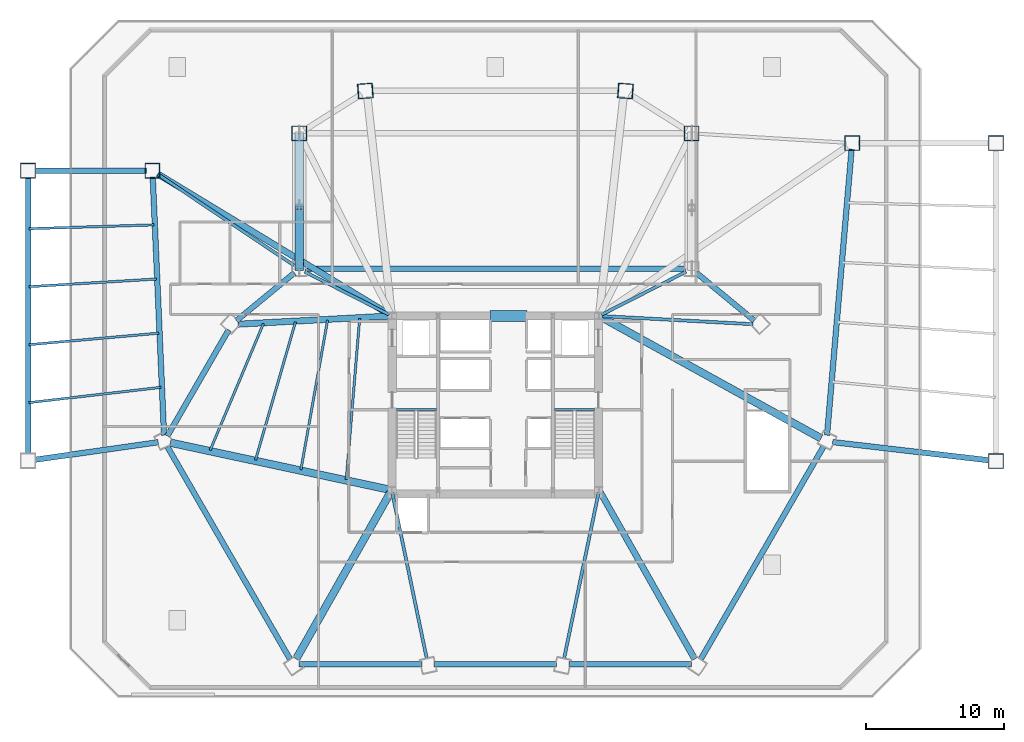
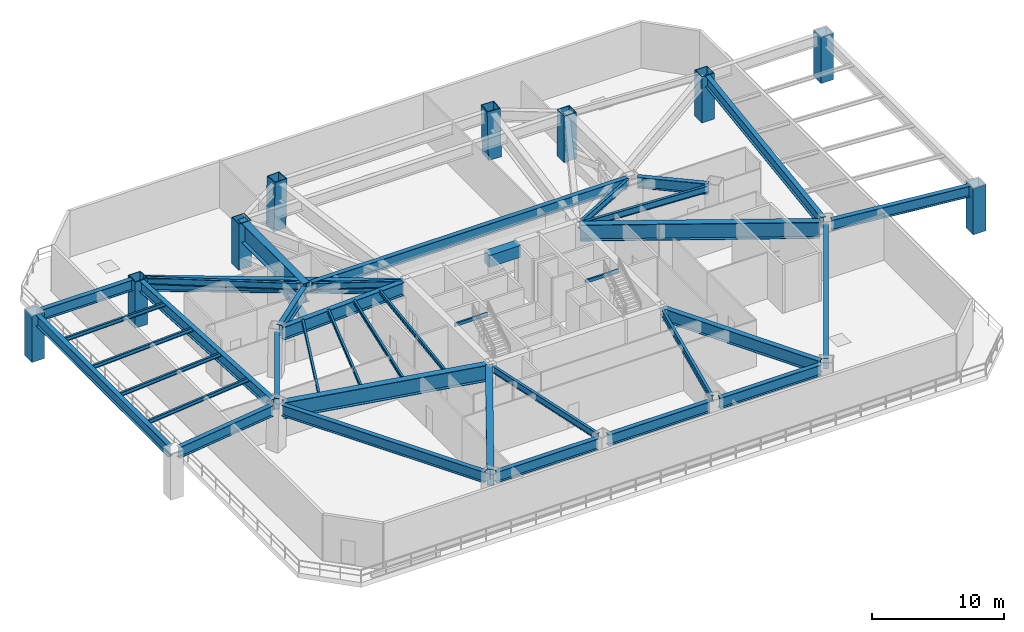
# One storey, part 3 of 13: 39 beams, 9 columns, 1 member.
"""IFC4 building model written with IfcOpenShell, lengths in metres."""

from ifc_helpers import new_model, si_unit, direction, frame, origin, origin_2d, place, context, subcontext, project, spatial, rectangle, hollow_rectangle, i_section, extrude, source, transform, mapped, material, material_profile, profile_set, type_object, type_shapes, element, save


model = new_model("IFC4")

# Units and contexts
model_context = context("Model", 3, precision=1e-05, world=origin(), true_north=direction((0.0, 1.0)))
body_context = subcontext(model_context, "Body", "Model", "MODEL_VIEW")
ifc_project = project(units=[si_unit("LENGTHUNIT", "METRE"), si_unit("AREAUNIT", "SQUARE_METRE"), si_unit("VOLUMEUNIT", "CUBIC_METRE"), si_unit("PLANEANGLEUNIT", "RADIAN"), si_unit("MASSUNIT", "GRAM", prefix="KILO")], contexts=[model_context])

# Site, building, storey
site_placement = place(None, origin())
site = spatial("IfcSite", under=ifc_project, at=site_placement, CompositionType="ELEMENT")
building_placement = place(site_placement, origin())
building = spatial("IfcBuilding", under=site, at=building_placement, Name="Caelisora Broadcast Tower", CompositionType="ELEMENT")
storey_placement = place(building_placement, frame((0.0, 0.0, 23.10009765625)))
storey = spatial("IfcBuildingStorey", under=building, at=storey_placement, Name="L05", CompositionType="ELEMENT", Elevation=23.10009765625)

# Columns
ifc_material_1 = material(Name="Steel Grade 350 L15 (AS/NZS 3678)", Category="steel")
ifc_material_profile_1 = material_profile(ifc_material_1, hollow_rectangle(XDim=1.10009765625, YDim=1.10009765625, WallThickness=0.06005859375, at=origin_2d()), Name="Steel Grade 350 L15 (AS/NZS 3678)")
ifc_profile_set_1 = profile_set([ifc_material_profile_1], Name="Steel Grade 350 L15 (AS/NZS 3678)")
column_type = type_object("IfcColumnType", Name="MC03", PredefinedType="COLUMN", material=ifc_profile_set_1)
shared_shape_1 = source(origin(), body_context, "Body", "SweptSolid", [
    extrude(hollow_rectangle(XDim=1.10009765625, YDim=1.10009765625, WallThickness=0.06005859375, at=origin_2d()), origin(), (0.0, 0.0, 1.0), 4.501220703125),
])
for number, where, z_axis, x_axis, name in (
    (1, (47.4189453125, 46.26416015625, 0.0), (-0.023864693146, 0.001735614047, 0.999713691046), (-0.072535695779, -0.997365816959, 0.0), "L05 column MC03"),
    (2, (28.5810546875, 46.26416015625, 0.0), (0.023864693146, 0.001735614047, 0.999713691046), (-0.072535695779, 0.997365816959, 0.0), "L05 column MC03"),
):
    element("IfcColumn", number, at=place(storey_placement, frame(where, z_axis=z_axis, x_axis=x_axis)), inside=storey, type_object=column_type, Name=name, PredefinedType="COLUMN", context=body_context, shape_type="MappedRepresentation", body=[
        mapped(shared_shape_1, transform((0.0, 0.0, 0.0), scale=1.0)),
    ])
shared_shape_2 = source(origin(), body_context, "Body", "SweptSolid", [
    extrude(hollow_rectangle(XDim=1.10009765625, YDim=1.10009765625, WallThickness=0.06005859375, at=origin_2d()), origin(), (0.0, 0.0, 1.0), 4.25),
])
type_shapes(column_type, [shared_shape_1, shared_shape_2])
for number, where, z_axis, x_axis, name in (
    (3, (23.81103515625, 43.199951171875, 0.0), (0.0, 0.0, 1.0), (1.0, 0.0, 0.0), "L05 column MC03"),
    (4, (52.18896484375, 43.199951171875, 0.0), (0.0, 0.0, 1.0), (1.0, 0.0, 0.0), "L05 column MC03"),
    (5, (4.199951171875, 40.5, 0.0), (0.0, 0.0, 1.0), (1.0, 0.0, 0.0), "L05 column MC03"),
    (6, (74.199951171875, 19.5, 0.0), (0.0, 0.0, 1.0), (1.0, 0.0, 0.0), "L05 column MC03"),
    (7, (74.199951171875, 42.5, 0.0), (0.0, 0.0, 1.0), (1.0, 0.0, 0.0), "L05 column MC03"),
    (8, (13.199951171875, 40.5, 0.0), (0.0, 0.0, 1.0), (1.0, 0.0, 0.0), "L05 column MC03"),
    (9, (63.800048828125, 42.5, 0.0), (0.0, 0.0, 1.0), (1.0, 0.0, 0.0), "L05 column MC03"),
):
    element("IfcColumn", number, at=place(storey_placement, frame(where, z_axis=z_axis, x_axis=x_axis)), inside=storey, type_object=column_type, Name=name, PredefinedType="COLUMN", context=body_context, shape_type="MappedRepresentation", body=[
        mapped(shared_shape_2, transform((0.0, 0.0, 0.0), scale=1.0)),
    ])

# Beams
ifc_material_2 = material(Name="Steel Grade 350 (AS/NZS 1163 C350L0)", Category="steel")
ifc_material_profile_2 = material_profile(ifc_material_2, hollow_rectangle(XDim=0.14990234375, YDim=0.300048828125, WallThickness=0.010009765625, at=origin_2d()), Name="Steel Grade 350 (AS/NZS 1163 C350L0)")
ifc_profile_set_2 = profile_set([ifc_material_profile_2], Name="Steel Grade 350 (AS/NZS 1163 C350L0)")
beam_type_1 = type_object("IfcBeamType", Name="SB05", PredefinedType="JOIST", material=ifc_profile_set_2)
shared_shape_3 = source(origin(), body_context, "Body", "SweptSolid", [
    extrude(hollow_rectangle(XDim=0.14990234375, YDim=0.300048828125, WallThickness=0.010009765625, at=origin_2d()), origin(), (0.0, 0.0, 1.0), 2.89990234375),
])
type_shapes(beam_type_1, [shared_shape_3])
for number, where, z_axis, x_axis, name in (
    (10, (30.840087890625, 23.219970703125, 4.099853515625), (1.0, 0.0, 0.0), (0.0, 1.0, 0.0), "L05 beam SB05"),
    (11, (42.260009765625, 23.219970703125, 4.099853515625), (1.0, 0.0, 0.0), (0.0, 1.0, 0.0), "L05 beam SB05"),
):
    element("IfcBeam", number, at=place(storey_placement, frame(where, z_axis=z_axis, x_axis=x_axis)), inside=storey, type_object=beam_type_1, Name=name, PredefinedType="JOIST", context=body_context, shape_type="MappedRepresentation", body=[
        mapped(shared_shape_3, transform((0.0, 0.0, 0.0), scale=1.0)),
    ])
ifc_material_3 = material(Name="Concrete 65 MPa (AS 3600 S65)", Category="concrete")
ifc_material_profile_3 = material_profile(ifc_material_3, rectangle(XDim=0.800048828125, YDim=1.10009765625, at=origin_2d()), Name="Concrete 65 MPa (AS 3600 S65)")
ifc_profile_set_3 = profile_set([ifc_material_profile_3], Name="Concrete 65 MPa (AS 3600 S65)")
beam_type_2 = type_object("IfcBeamType", Name="CB01", PredefinedType="LINTEL", material=ifc_profile_set_3)
shared_shape_4 = source(origin(), body_context, "Body", "SweptSolid", [
    extrude(rectangle(XDim=0.800048828125, YDim=1.10009765625, at=origin_2d()), origin(), (0.0, 0.0, 1.0), 2.699951171875),
])
type_shapes(beam_type_2, [shared_shape_4])
beam_1_placement = place(storey_placement, frame((37.60009765625, 30.0, 3.699951171875), z_axis=(1.0, 0.0, 0.0), x_axis=(0.0, 1.0, 0.0)))
element("IfcBeam", 12, at=beam_1_placement, inside=storey, type_object=beam_type_2, Name="L05 beam CB01", PredefinedType="LINTEL", context=body_context, shape_type="MappedRepresentation", body=[
    mapped(shared_shape_4, transform((0.0, 0.0, 0.0), scale=1.0)),
])
ifc_material_4 = material(Name="Steel Grade 350 (AS/NZS 3679.2)", Category="steel")
ifc_material_profile_4 = material_profile(ifc_material_4, i_section(OverallWidth=0.39990234375, OverallDepth=1.0, WebThickness=0.01611328125, FlangeThickness=0.028076171875, at=origin_2d()), Name="Steel Grade 350 (AS/NZS 3679.2)")
ifc_profile_set_4 = profile_set([ifc_material_profile_4], Name="Steel Grade 350 (AS/NZS 3679.2)")
beam_type_3 = type_object("IfcBeamType", Name="PG01", PredefinedType="BEAM", material=ifc_profile_set_4)
shared_shape_5 = source(origin(), body_context, "Body", "SweptSolid", [
    extrude(i_section(OverallWidth=0.39990234375, OverallDepth=1.0, WebThickness=0.01611328125, FlangeThickness=0.028076171875, at=origin_2d()), origin(), (0.0, 0.0, 1.0), 17.73291015625),
])
for number, where, z_axis, x_axis, name in (
    (13, (14.278564453125, 20.54248046875, 3.75), (0.49999933933, -0.866025785222, 0.0), (0.866025785222, 0.49999933933, 0.0), "L05 beam PG01"),
    (14, (52.85498046875, 5.185302734375, 3.75), (0.49999933933, 0.866025785222, 0.0), (-0.866025785222, 0.49999933933, 0.0), "L05 beam PG01"),
):
    element("IfcBeam", number, at=place(storey_placement, frame(where, z_axis=z_axis, x_axis=x_axis)), inside=storey, type_object=beam_type_3, Name=name, PredefinedType="BEAM", context=body_context, shape_type="MappedRepresentation", body=[
        mapped(shared_shape_5, transform((0.0, 0.0, 0.0), scale=1.0)),
    ])
shared_shape_6 = source(origin(), body_context, "Body", "SweptSolid", [
    extrude(i_section(OverallWidth=0.39990234375, OverallDepth=1.0, WebThickness=0.01611328125, FlangeThickness=0.028076171875, at=origin_2d()), origin(), (0.0, 0.0, 1.0), 5.43310546875),
])
for number, where, z_axis, x_axis, name in (
    (15, (23.4677734375, 33.11669921875, 3.75), (-0.771372175609, -0.63638429168, 0.0), (0.63638429168, -0.771372175609, 0.0), "L05 beam PG01"),
    (16, (56.72314453125, 29.6591796875, 3.75), (-0.771372175609, 0.63638429168, 0.0), (-0.63638429168, -0.771372175609, 0.0), "L05 beam PG01"),
):
    element("IfcBeam", number, at=place(storey_placement, frame(where, z_axis=z_axis, x_axis=x_axis)), inside=storey, type_object=beam_type_3, Name=name, PredefinedType="BEAM", context=body_context, shape_type="MappedRepresentation", body=[
        mapped(shared_shape_6, transform((0.0, 0.0, 0.0), scale=1.0)),
    ])
shared_shape_7 = source(origin(), body_context, "Body", "SweptSolid", [
    extrude(i_section(OverallWidth=0.39990234375, OverallDepth=1.0, WebThickness=0.01611328125, FlangeThickness=0.028076171875, at=origin_2d()), origin(), (0.0, 0.0, 1.0), 8.86474609375),
])
beam_2_placement = place(storey_placement, frame((18.711181640625, 28.990478515625, 3.75), z_axis=(-0.500025215562, -0.866010845084, 0.0), x_axis=(0.866010845084, -0.500025215562, 0.0)))
element("IfcBeam", 17, at=beam_2_placement, inside=storey, type_object=beam_type_3, Name="L05 beam PG01", PredefinedType="BEAM", context=body_context, shape_type="MappedRepresentation", body=[
    mapped(shared_shape_7, transform((0.0, 0.0, 0.0), scale=1.0)),
])
shared_shape_8 = source(origin(), body_context, "Body", "SweptSolid", [
    extrude(i_section(OverallWidth=0.39990234375, OverallDepth=1.0, WebThickness=0.01611328125, FlangeThickness=0.028076171875, at=origin_2d()), origin(), (0.0, 0.0, 1.0), 8.864990234375),
])
for number, where, z_axis, x_axis, name in (
    (18, (23.8125, 4.800048828125, 3.75), (1.0, 0.0, 0.0), (0.0, 1.0, 0.0), "L05 beam PG01"),
    (19, (43.322509765625, 4.800048828125, 3.75), (1.0, 0.0, 0.0), (0.0, 1.0, 0.0), "L05 beam PG01"),
):
    element("IfcBeam", number, at=place(storey_placement, frame(where, z_axis=z_axis, x_axis=x_axis)), inside=storey, type_object=beam_type_3, Name=name, PredefinedType="BEAM", context=body_context, shape_type="MappedRepresentation", body=[
        mapped(shared_shape_8, transform((0.0, 0.0, 0.0), scale=1.0)),
    ])
shared_shape_9 = source(origin(), body_context, "Body", "SweptSolid", [
    extrude(i_section(OverallWidth=0.39990234375, OverallDepth=1.0, WebThickness=0.01611328125, FlangeThickness=0.028076171875, at=origin_2d()), origin(), (0.0, 0.0, 1.0), 8.865234375),
])
beam_3_placement = place(storey_placement, frame((33.5673828125, 4.800048828125, 3.75), z_axis=(1.0, 0.0, 0.0), x_axis=(0.0, 1.0, 0.0)))
element("IfcBeam", 20, at=beam_3_placement, inside=storey, type_object=beam_type_3, Name="L05 beam PG01", PredefinedType="BEAM", context=body_context, shape_type="MappedRepresentation", body=[
    mapped(shared_shape_9, transform((0.0, 0.0, 0.0), scale=1.0)),
])
shared_shape_10 = source(origin(), body_context, "Body", "SweptSolid", [
    extrude(i_section(OverallWidth=0.39990234375, OverallDepth=1.0, WebThickness=0.01611328125, FlangeThickness=0.028076171875, at=origin_2d()), origin(), (0.0, 0.0, 1.0), 11.448974609375),
])
beam_4_placement = place(storey_placement, frame((62.385986328125, 20.87646484375, 3.75), z_axis=(0.993281126154, -0.115726420602, 0.0), x_axis=(0.115726420602, 0.993281126154, 0.0)))
element("IfcBeam", 21, at=beam_4_placement, inside=storey, type_object=beam_type_3, Name="L05 beam PG01", PredefinedType="BEAM", context=body_context, shape_type="MappedRepresentation", body=[
    mapped(shared_shape_10, transform((0.0, 0.0, 0.0), scale=1.0)),
])
ifc_material_profile_5 = material_profile(ifc_material_4, i_section(OverallWidth=0.550048828125, OverallDepth=1.5, WebThickness=0.02197265625, FlangeThickness=0.035888671875, at=origin_2d()), Name="Steel Grade 350 (AS/NZS 3679.2)")
ifc_profile_set_5 = profile_set([ifc_material_profile_5], Name="Steel Grade 350 (AS/NZS 3679.2)")
beam_type_4 = type_object("IfcBeamType", Name="TG02", PredefinedType="BEAM", material=ifc_profile_set_5)
shared_shape_11 = source(origin(), body_context, "Body", "SweptSolid", [
    extrude(i_section(OverallWidth=0.550048828125, OverallDepth=1.5, WebThickness=0.02197265625, FlangeThickness=0.035888671875, at=origin_2d()), origin(), (0.0, 0.0, 1.0), 16.173095703125),
])
beam_5_placement = place(storey_placement, frame((30.304443359375, 17.44189453125, 3.5), z_axis=(-0.977748258698, 0.209781654616, 0.0), x_axis=(-0.209781654616, -0.977748258698, 0.0)))
element("IfcBeam", 22, at=beam_5_placement, inside=storey, type_object=beam_type_4, Name="L05 beam TG02", PredefinedType="BEAM", context=body_context, shape_type="MappedRepresentation", body=[
    mapped(shared_shape_11, transform((0.0, 0.0, 0.0), scale=1.0)),
])
ifc_material_5 = material(Name="Steel Grade 350 (AS/NZS 3679.1)", Category="steel")
ifc_material_profile_6 = material_profile(ifc_material_5, i_section(OverallWidth=0.22900390625, OverallDepth=0.611572265625, WebThickness=0.011962890625, FlangeThickness=0.01953125, at=origin_2d()), Name="Steel Grade 350 (AS/NZS 3679.1)")
ifc_profile_set_6 = profile_set([ifc_material_profile_6], Name="Steel Grade 350 (AS/NZS 3679.1)")
beam_type_5 = type_object("IfcBeamType", Name="PG03", PredefinedType="BEAM", material=ifc_profile_set_6)
shared_shape_12 = source(origin(), body_context, "Body", "SweptSolid", [
    extrude(i_section(OverallWidth=0.22900390625, OverallDepth=0.611572265625, WebThickness=0.011962890625, FlangeThickness=0.01953125, at=origin_2d()), origin(), (0.0, 0.0, 1.0), 12.22509765625),
])
for number, where, z_axis, x_axis, name in (
    (23, (30.540771484375, 17.2041015625, 3.944091796875), (0.203760458464, -0.979020773818, 0.0), (0.979020773818, 0.203760458464, 0.0), "L05 beam PG03"),
    (24, (45.459228515625, 17.2041015625, 3.944091796875), (-0.203760458464, -0.979020773818, 0.0), (0.979020773818, -0.203760458464, 0.0), "L05 beam PG03"),
):
    element("IfcBeam", number, at=place(storey_placement, frame(where, z_axis=z_axis, x_axis=x_axis)), inside=storey, type_object=beam_type_5, Name=name, PredefinedType="BEAM", context=body_context, shape_type="MappedRepresentation", body=[
        mapped(shared_shape_12, transform((0.0, 0.0, 0.0), scale=1.0)),
    ])
ifc_material_profile_7 = material_profile(ifc_material_4, i_section(OverallWidth=0.449951171875, OverallDepth=1.199951171875, WebThickness=0.02001953125, FlangeThickness=0.031982421875, at=origin_2d()), Name="Steel Grade 350 (AS/NZS 3679.2)")
ifc_profile_set_7 = profile_set([ifc_material_profile_7], Name="Steel Grade 350 (AS/NZS 3679.2)")
beam_type_6 = type_object("IfcBeamType", Name="TG03", PredefinedType="BEAM", material=ifc_profile_set_7)
shared_shape_13 = source(origin(), body_context, "Body", "SweptSolid", [
    extrude(i_section(OverallWidth=0.449951171875, OverallDepth=1.199951171875, WebThickness=0.02001953125, FlangeThickness=0.031982421875, at=origin_2d()), origin(), (0.0, 0.0, 1.0), 13.833740234375),
])
beam_6_placement = place(storey_placement, frame((45.598388671875, 17.22607421875, 3.64990234375), z_axis=(0.492613098668, -0.870248432932, 0.0), x_axis=(0.870248432932, 0.492613098668, 0.0)))
element("IfcBeam", 25, at=beam_6_placement, inside=storey, type_object=beam_type_6, Name="L05 beam TG03", PredefinedType="BEAM", context=body_context, shape_type="MappedRepresentation", body=[
    mapped(shared_shape_13, transform((0.0, 0.0, 0.0), scale=1.0)),
])
shared_shape_14 = source(origin(), body_context, "Body", "SweptSolid", [
    extrude(i_section(OverallWidth=0.22900390625, OverallDepth=0.611572265625, WebThickness=0.011962890625, FlangeThickness=0.01953125, at=origin_2d()), origin(), (0.0, 0.0, 1.0), 6.858642578125),
])
for number, where, z_axis, x_axis, name in (
    (26, (45.67822265625, 30.090576171875, 3.944091796875), (0.891438750021, 0.453141208632, 0.0), (-0.453141208632, 0.891438750021, 0.0), "L05 beam PG03"),
    (27, (30.32177734375, 30.090576171875, 3.944091796875), (-0.891438750021, 0.453141208632, 0.0), (-0.453141208632, -0.891438750021, 0.0), "L05 beam PG03"),
):
    element("IfcBeam", number, at=place(storey_placement, frame(where, z_axis=z_axis, x_axis=x_axis)), inside=storey, type_object=beam_type_5, Name=name, PredefinedType="BEAM", context=body_context, shape_type="MappedRepresentation", body=[
        mapped(shared_shape_14, transform((0.0, 0.0, 0.0), scale=1.0)),
    ])
shared_shape_15 = source(origin(), body_context, "Body", "SweptSolid", [
    extrude(i_section(OverallWidth=0.22900390625, OverallDepth=0.611572265625, WebThickness=0.011962890625, FlangeThickness=0.01953125, at=origin_2d()), origin(), (0.0, 0.0, 1.0), 10.938232421875),
])
beam_7_placement = place(storey_placement, frame((45.69970703125, 29.9892578125, 3.944091796875), z_axis=(0.998547405745, -0.053880223467, 0.0), x_axis=(0.053880223467, 0.998547405745, 0.0)))
element("IfcBeam", 28, at=beam_7_placement, inside=storey, type_object=beam_type_5, Name="L05 beam PG03", PredefinedType="BEAM", context=body_context, shape_type="MappedRepresentation", body=[
    mapped(shared_shape_15, transform((0.0, 0.0, 0.0), scale=1.0)),
])
shared_shape_16 = source(origin(), body_context, "Body", "SweptSolid", [
    extrude(i_section(OverallWidth=0.449951171875, OverallDepth=1.199951171875, WebThickness=0.02001953125, FlangeThickness=0.031982421875, at=origin_2d()), origin(), (0.0, 0.0, 1.0), 10.938232421875),
])
beam_8_placement = place(storey_placement, frame((19.3779296875, 29.39990234375, 3.64990234375), z_axis=(0.998547405745, 0.053880223467, 0.0), x_axis=(-0.053880223467, 0.998547405745, 0.0)))
element("IfcBeam", 29, at=beam_8_placement, inside=storey, type_object=beam_type_6, Name="L05 beam TG03", PredefinedType="BEAM", context=body_context, shape_type="MappedRepresentation", body=[
    mapped(shared_shape_16, transform((0.0, 0.0, 0.0), scale=1.0)),
])
shared_shape_17 = source(origin(), body_context, "Body", "SweptSolid", [
    extrude(i_section(OverallWidth=0.39990234375, OverallDepth=1.0, WebThickness=0.01611328125, FlangeThickness=0.028076171875, at=origin_2d()), origin(), (0.0, 0.0, 1.0), 9.065185546875),
])
beam_9_placement = place(storey_placement, frame((4.640625, 19.588623046875, 3.75), z_axis=(0.99003441843, 0.140825602513, 0.0), x_axis=(-0.140825602513, 0.99003441843, 0.0)))
element("IfcBeam", 30, at=beam_9_placement, inside=storey, type_object=beam_type_3, Name="L05 beam PG01", PredefinedType="BEAM", context=body_context, shape_type="MappedRepresentation", body=[
    mapped(shared_shape_17, transform((0.0, 0.0, 0.0), scale=1.0)),
])
shared_shape_18 = source(origin(), body_context, "Body", "SweptSolid", [
    extrude(i_section(OverallWidth=0.39990234375, OverallDepth=1.0, WebThickness=0.01611328125, FlangeThickness=0.028076171875, at=origin_2d()), origin(), (0.0, 0.0, 1.0), 8.10986328125),
])
beam_10_placement = place(storey_placement, frame((4.64501953125, 40.5, 3.75), z_axis=(1.0, 0.0, 0.0), x_axis=(0.0, 1.0, 0.0)))
element("IfcBeam", 31, at=beam_10_placement, inside=storey, type_object=beam_type_3, Name="L05 beam PG01", PredefinedType="BEAM", context=body_context, shape_type="MappedRepresentation", body=[
    mapped(shared_shape_18, transform((0.0, 0.0, 0.0), scale=1.0)),
])
shared_shape_19 = source(origin(), body_context, "Body", "SweptSolid", [
    extrude(i_section(OverallWidth=0.39990234375, OverallDepth=1.0, WebThickness=0.01611328125, FlangeThickness=0.028076171875, at=origin_2d()), origin(), (0.0, 0.0, 1.0), 20.083984375),
])
beam_11_placement = place(storey_placement, frame((4.199951171875, 19.970947265625, 3.75), z_axis=(0.0, 1.0, 0.0), x_axis=(-1.0, 0.0, 0.0)))
element("IfcBeam", 32, at=beam_11_placement, inside=storey, type_object=beam_type_3, Name="L05 beam PG01", PredefinedType="BEAM", context=body_context, shape_type="MappedRepresentation", body=[
    mapped(shared_shape_19, transform((0.0, 0.0, 0.0), scale=1.0)),
])
shared_shape_20 = source(origin(), body_context, "Body", "SweptSolid", [
    extrude(i_section(OverallWidth=0.22900390625, OverallDepth=0.611572265625, WebThickness=0.011962890625, FlangeThickness=0.01953125, at=origin_2d()), origin(), (0.0, 0.0, 1.0), 11.877197265625),
])
type_shapes(beam_type_5, [shared_shape_12, shared_shape_14, shared_shape_15, shared_shape_20])
beam_12_placement = place(storey_placement, frame((13.56982421875, 40.25244140625, 3.944091796875), z_axis=(0.831113052216, -0.556103492559, 0.0), x_axis=(0.556103492559, 0.831113052216, 0.0)))
element("IfcBeam", 33, at=beam_12_placement, inside=storey, type_object=beam_type_5, Name="L05 beam PG03", PredefinedType="BEAM", context=body_context, shape_type="MappedRepresentation", body=[
    mapped(shared_shape_20, transform((0.0, 0.0, 0.0), scale=1.0)),
])
shared_shape_21 = source(origin(), body_context, "Body", "SweptSolid", [
    extrude(i_section(OverallWidth=0.39990234375, OverallDepth=1.0, WebThickness=0.01611328125, FlangeThickness=0.028076171875, at=origin_2d()), origin(), (0.0, 0.0, 1.0), 18.70068359375),
])
beam_13_placement = place(storey_placement, frame((14.03662109375, 21.37255859375, 3.75), z_axis=(-0.043695566881, 0.999044892602, 0.0), x_axis=(-0.999044892602, -0.043695566881, 0.0)))
element("IfcBeam", 34, at=beam_13_placement, inside=storey, type_object=beam_type_3, Name="L05 beam PG01", PredefinedType="BEAM", context=body_context, shape_type="MappedRepresentation", body=[
    mapped(shared_shape_21, transform((0.0, 0.0, 0.0), scale=1.0)),
])
shared_shape_22 = source(origin(), body_context, "Body", "SweptSolid", [
    extrude(i_section(OverallWidth=0.39990234375, OverallDepth=1.0, WebThickness=0.01611328125, FlangeThickness=0.028076171875, at=origin_2d()), origin(), (0.0, 0.0, 1.0), 20.76171875),
])
beam_14_placement = place(storey_placement, frame((61.98193359375, 21.371337890625, 3.75), z_axis=(0.085735996079, 0.996317890523, 0.0), x_axis=(-0.996317890523, 0.085735996079, 0.0)))
element("IfcBeam", 35, at=beam_14_placement, inside=storey, type_object=beam_type_3, Name="L05 beam PG01", PredefinedType="BEAM", context=body_context, shape_type="MappedRepresentation", body=[
    mapped(shared_shape_22, transform((0.0, 0.0, 0.0), scale=1.0)),
])
shared_shape_23 = source(origin(), body_context, "Body", "SweptSolid", [
    extrude(i_section(OverallWidth=0.39990234375, OverallDepth=1.0, WebThickness=0.01611328125, FlangeThickness=0.028076171875, at=origin_2d()), origin(), (0.0, 0.0, 1.0), 27.48779296875),
])
type_shapes(beam_type_3, [shared_shape_5, shared_shape_6, shared_shape_7, shared_shape_8, shared_shape_9, shared_shape_10, shared_shape_17, shared_shape_18, shared_shape_19, shared_shape_21, shared_shape_22, shared_shape_23])
beam_15_placement = place(storey_placement, frame((24.256103515625, 33.39990234375, 3.75), z_axis=(1.0, 0.0, 0.0), x_axis=(0.0, 1.0, 0.0)))
element("IfcBeam", 36, at=beam_15_placement, inside=storey, type_object=beam_type_3, Name="L05 beam PG01", PredefinedType="BEAM", context=body_context, shape_type="MappedRepresentation", body=[
    mapped(shared_shape_23, transform((0.0, 0.0, 0.0), scale=1.0)),
])
ifc_material_profile_8 = material_profile(ifc_material_5, i_section(OverallWidth=0.172119140625, OverallDepth=0.358642578125, WebThickness=0.008056640625, FlangeThickness=0.012939453125, at=origin_2d()), Name="Steel Grade 350 (AS/NZS 3679.1)")
ifc_profile_set_8 = profile_set([ifc_material_profile_8], Name="Steel Grade 350 (AS/NZS 3679.1)")
beam_type_7 = type_object("IfcBeamType", Name="SB02", PredefinedType="JOIST", material=ifc_profile_set_8)
shared_shape_24 = source(origin(), body_context, "Body", "SweptSolid", [
    extrude(i_section(OverallWidth=0.172119140625, OverallDepth=0.358642578125, WebThickness=0.008056640625, FlangeThickness=0.012939453125, at=origin_2d()), origin(), (0.0, 0.0, 1.0), 9.945556640625),
])
beam_16_placement = place(storey_placement, frame((17.3681640625, 20.277587890625, 4.070556640625), z_axis=(0.387653114157, 0.921805328193, 0.0), x_axis=(-0.921805328193, 0.387653114157, 0.0)))
element("IfcBeam", 37, at=beam_16_placement, inside=storey, type_object=beam_type_7, Name="L05 beam SB02", PredefinedType="JOIST", context=body_context, shape_type="MappedRepresentation", body=[
    mapped(shared_shape_24, transform((0.0, 0.0, 0.0), scale=1.0)),
])
shared_shape_25 = source(origin(), body_context, "Body", "SweptSolid", [
    extrude(i_section(OverallWidth=0.172119140625, OverallDepth=0.358642578125, WebThickness=0.008056640625, FlangeThickness=0.012939453125, at=origin_2d()), origin(), (0.0, 0.0, 1.0), 10.404052734375),
])
beam_17_placement = place(storey_placement, frame((20.650390625, 19.574462890625, 4.070556640625), z_axis=(0.278072890868, 0.960559975933, 0.0), x_axis=(-0.960559975933, 0.278072890868, 0.0)))
element("IfcBeam", 38, at=beam_17_placement, inside=storey, type_object=beam_type_7, Name="L05 beam SB02", PredefinedType="JOIST", context=body_context, shape_type="MappedRepresentation", body=[
    mapped(shared_shape_25, transform((0.0, 0.0, 0.0), scale=1.0)),
])
shared_shape_26 = source(origin(), body_context, "Body", "SweptSolid", [
    extrude(i_section(OverallWidth=0.172119140625, OverallDepth=0.358642578125, WebThickness=0.008056640625, FlangeThickness=0.012939453125, at=origin_2d()), origin(), (0.0, 0.0, 1.0), 10.99169921875),
])
beam_18_placement = place(storey_placement, frame((23.93310546875, 18.870361328125, 4.070556640625), z_axis=(0.175557703739, 0.984469142563, 0.0), x_axis=(-0.984469142563, 0.175557703739, 0.0)))
element("IfcBeam", 39, at=beam_18_placement, inside=storey, type_object=beam_type_7, Name="L05 beam SB02", PredefinedType="JOIST", context=body_context, shape_type="MappedRepresentation", body=[
    mapped(shared_shape_26, transform((0.0, 0.0, 0.0), scale=1.0)),
])
shared_shape_27 = source(origin(), body_context, "Body", "SweptSolid", [
    extrude(i_section(OverallWidth=0.172119140625, OverallDepth=0.358642578125, WebThickness=0.008056640625, FlangeThickness=0.012939453125, at=origin_2d()), origin(), (0.0, 0.0, 1.0), 11.690185546875),
])
beam_19_placement = place(storey_placement, frame((27.21630859375, 18.165283203125, 4.070556640625), z_axis=(0.082597825039, 0.996582961574, 0.0), x_axis=(-0.996582961574, 0.082597825039, 0.0)))
element("IfcBeam", 40, at=beam_19_placement, inside=storey, type_object=beam_type_7, Name="L05 beam SB02", PredefinedType="JOIST", context=body_context, shape_type="MappedRepresentation", body=[
    mapped(shared_shape_27, transform((0.0, 0.0, 0.0), scale=1.0)),
])
shared_shape_28 = source(origin(), body_context, "Body", "SweptSolid", [
    extrude(i_section(OverallWidth=0.172119140625, OverallDepth=0.358642578125, WebThickness=0.008056640625, FlangeThickness=0.012939453125, at=origin_2d()), origin(), (0.0, 0.0, 1.0), 9.629638671875),
])
beam_20_placement = place(storey_placement, frame((4.259521484375, 23.727783203125, 4.070556640625), z_axis=(0.993362330062, 0.115027306385, 0.0), x_axis=(-0.115027306385, 0.993362330062, 0.0)))
element("IfcBeam", 41, at=beam_20_placement, inside=storey, type_object=beam_type_7, Name="L05 beam SB02", PredefinedType="JOIST", context=body_context, shape_type="MappedRepresentation", body=[
    mapped(shared_shape_28, transform((0.0, 0.0, 0.0), scale=1.0)),
])
shared_shape_29 = source(origin(), body_context, "Body", "SweptSolid", [
    extrude(i_section(OverallWidth=0.172119140625, OverallDepth=0.358642578125, WebThickness=0.008056640625, FlangeThickness=0.012939453125, at=origin_2d()), origin(), (0.0, 0.0, 1.0), 9.4306640625),
])
beam_21_placement = place(storey_placement, frame((4.259765625, 27.9208984375, 4.070556640625), z_axis=(0.996114234939, 0.088070602091, 0.0), x_axis=(-0.088070602091, 0.996114234939, 0.0)))
element("IfcBeam", 42, at=beam_21_placement, inside=storey, type_object=beam_type_7, Name="L05 beam SB02", PredefinedType="JOIST", context=body_context, shape_type="MappedRepresentation", body=[
    mapped(shared_shape_29, transform((0.0, 0.0, 0.0), scale=1.0)),
])
shared_shape_30 = source(origin(), body_context, "Body", "SweptSolid", [
    extrude(i_section(OverallWidth=0.172119140625, OverallDepth=0.358642578125, WebThickness=0.008056640625, FlangeThickness=0.012939453125, at=origin_2d()), origin(), (0.0, 0.0, 1.0), 9.239013671875),
])
beam_22_placement = place(storey_placement, frame((4.260009765625, 32.114013671875, 4.070556640625), z_axis=(0.998204055473, 0.059905455824, 0.0), x_axis=(-0.059905455824, 0.998204055473, 0.0)))
element("IfcBeam", 43, at=beam_22_placement, inside=storey, type_object=beam_type_7, Name="L05 beam SB02", PredefinedType="JOIST", context=body_context, shape_type="MappedRepresentation", body=[
    mapped(shared_shape_30, transform((0.0, 0.0, 0.0), scale=1.0)),
])
shared_shape_31 = source(origin(), body_context, "Body", "SweptSolid", [
    extrude(i_section(OverallWidth=0.172119140625, OverallDepth=0.358642578125, WebThickness=0.008056640625, FlangeThickness=0.012939453125, at=origin_2d()), origin(), (0.0, 0.0, 1.0), 9.055419921875),
])
type_shapes(beam_type_7, [shared_shape_24, shared_shape_25, shared_shape_26, shared_shape_27, shared_shape_28, shared_shape_29, shared_shape_30, shared_shape_31])
beam_23_placement = place(storey_placement, frame((4.260009765625, 36.306884765625, 4.070556640625), z_axis=(0.999532531221, 0.030573175012, 0.0), x_axis=(-0.030573175012, 0.999532531221, 0.0)))
element("IfcBeam", 44, at=beam_23_placement, inside=storey, type_object=beam_type_7, Name="L05 beam SB02", PredefinedType="JOIST", context=body_context, shape_type="MappedRepresentation", body=[
    mapped(shared_shape_31, transform((0.0, 0.0, 0.0), scale=1.0)),
])
ifc_material_profile_9 = material_profile(ifc_material_4, i_section(OverallWidth=0.60009765625, OverallDepth=1.800048828125, WebThickness=0.02490234375, FlangeThickness=0.0400390625, at=origin_2d()), Name="Steel Grade 350 (AS/NZS 3679.2)")
ifc_profile_set_9 = profile_set([ifc_material_profile_9], Name="Steel Grade 350 (AS/NZS 3679.2)")
beam_type_8 = type_object("IfcBeamType", Name="TG01", PredefinedType="BEAM", material=ifc_profile_set_9)
shared_shape_32 = source(origin(), body_context, "Body", "SweptSolid", [
    extrude(i_section(OverallWidth=0.60009765625, OverallDepth=1.800048828125, WebThickness=0.02490234375, FlangeThickness=0.0400390625, at=origin_2d()), origin(), (0.0, 0.0, 1.0), 9.800048828125),
])
type_shapes(beam_type_8, [shared_shape_32])
beam_24_placement = place(storey_placement, frame((23.81103515625, 33.39990234375, 3.349853515625), z_axis=(0.0, 1.0, 0.0), x_axis=(-1.0, 0.0, 0.0)))
element("IfcBeam", 45, at=beam_24_placement, inside=storey, type_object=beam_type_8, Name="L05 beam TG01", PredefinedType="BEAM", context=body_context, shape_type="MappedRepresentation", body=[
    mapped(shared_shape_32, transform((0.0, 0.0, 0.0), scale=1.0)),
])

# Member
ifc_material_6 = material(Name="Steel Grade 450 L15 (AS/NZS 3678)", Category="steel")
ifc_material_profile_10 = material_profile(ifc_material_6, hollow_rectangle(XDim=0.60009765625, YDim=0.60009765625, WallThickness=0.02490234375, at=origin_2d()), Name="Steel Grade 450 L15 (AS/NZS 3678)")
ifc_profile_set_10 = profile_set([ifc_material_profile_10], Name="Steel Grade 450 L15 (AS/NZS 3678)")
member_type = type_object("IfcMemberType", Name="TR12", PredefinedType="STRUT", material=ifc_profile_set_10)
shared_shape_33 = source(origin(), body_context, "Body", "SweptSolid", [
    extrude(hollow_rectangle(XDim=0.60009765625, YDim=0.60009765625, WallThickness=0.02490234375, at=origin_2d()), origin(), (0.0, 0.0, 1.0), 4.81494140625),
])
type_shapes(member_type, [shared_shape_33])
member_placement = place(storey_placement, frame((23.81103515625, 33.39990234375, 0.5498046875), z_axis=(0.0, 0.918835267656, 0.394641293977), x_axis=(-1.0, 0.0, 0.0)))
element("IfcMember", 46, at=member_placement, inside=storey, type_object=member_type, Name="L05 transfer diagonal TR12", PredefinedType="STRUT", context=body_context, shape_type="MappedRepresentation", body=[
    mapped(shared_shape_33, transform((0.0, 0.0, 0.0), scale=1.0)),
])

# Beams
shared_shape_34 = source(origin(), body_context, "Body", "SweptSolid", [
    extrude(i_section(OverallWidth=0.550048828125, OverallDepth=1.5, WebThickness=0.02197265625, FlangeThickness=0.035888671875, at=origin_2d()), origin(), (0.0, 0.0, 1.0), 13.828857421875),
])
beam_25_placement = place(storey_placement, frame((23.58935546875, 5.191650390625, 3.5), z_axis=(0.492615626813, 0.870247001845, 0.0), x_axis=(-0.870247001845, 0.492615626813, 0.0)))
element("IfcBeam", 47, at=beam_25_placement, inside=storey, type_object=beam_type_4, Name="L05 beam TG02", PredefinedType="BEAM", context=body_context, shape_type="MappedRepresentation", body=[
    mapped(shared_shape_34, transform((0.0, 0.0, 0.0), scale=1.0)),
])
shared_shape_35 = source(origin(), body_context, "Body", "SweptSolid", [
    extrude(i_section(OverallWidth=0.550048828125, OverallDepth=1.5, WebThickness=0.02197265625, FlangeThickness=0.035888671875, at=origin_2d()), origin(), (0.0, 0.0, 1.0), 18.13037109375),
])
type_shapes(beam_type_4, [shared_shape_11, shared_shape_34, shared_shape_35])
beam_26_placement = place(storey_placement, frame((61.5498046875, 21.1455078125, 3.5), z_axis=(-0.875593395829, 0.483048864174, 0.0), x_axis=(-0.483048864174, -0.875593395829, 0.0)))
element("IfcBeam", 48, at=beam_26_placement, inside=storey, type_object=beam_type_4, Name="L05 beam TG02", PredefinedType="BEAM", context=body_context, shape_type="MappedRepresentation", body=[
    mapped(shared_shape_35, transform((0.0, 0.0, 0.0), scale=1.0)),
])
shared_shape_36 = source(origin(), body_context, "Body", "SweptSolid", [
    extrude(i_section(OverallWidth=0.449951171875, OverallDepth=1.199951171875, WebThickness=0.02001953125, FlangeThickness=0.031982421875, at=origin_2d()), origin(), (0.0, 0.0, 1.0), 19.587158203125),
])
type_shapes(beam_type_6, [shared_shape_13, shared_shape_16, shared_shape_36])
beam_27_placement = place(storey_placement, frame((13.584716796875, 40.2666015625, 3.64990234375), z_axis=(0.85486432454, -0.518851603669, 0.0), x_axis=(0.518851603669, 0.85486432454, 0.0)))
element("IfcBeam", 49, at=beam_27_placement, inside=storey, type_object=beam_type_6, Name="L05 beam TG03", PredefinedType="BEAM", context=body_context, shape_type="MappedRepresentation", body=[
    mapped(shared_shape_36, transform((0.0, 0.0, 0.0), scale=1.0)),
])

save(model, "model.ifc")
